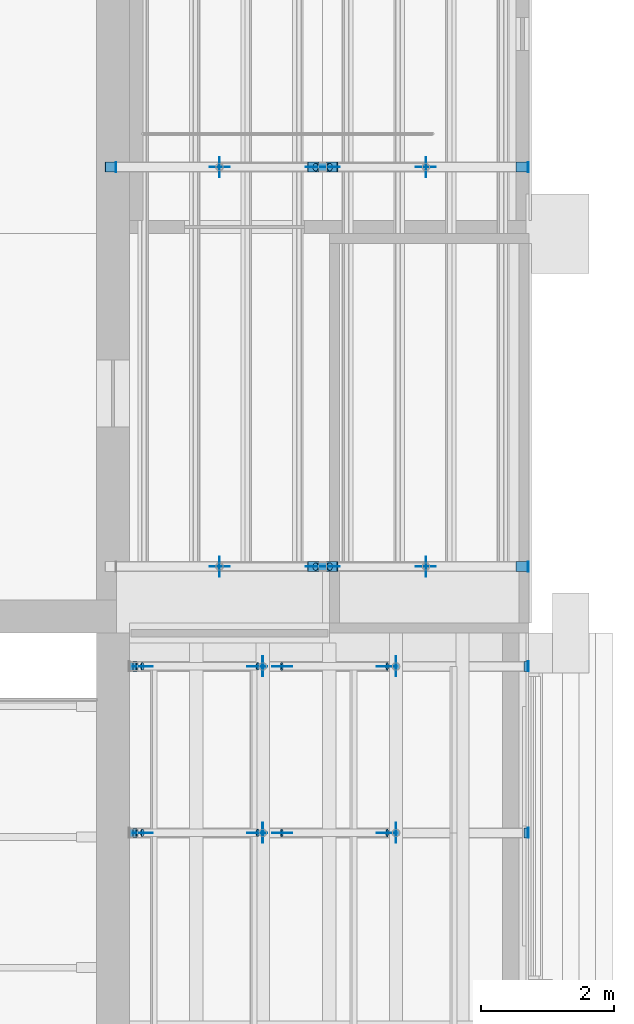
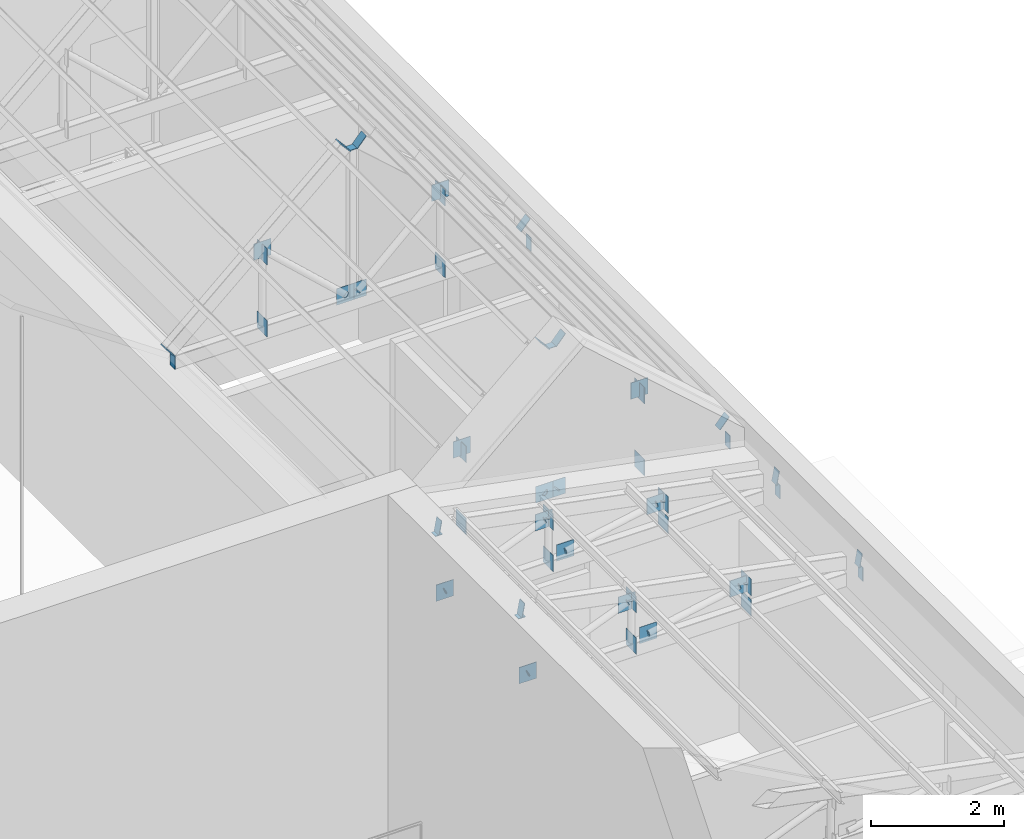
# One storey, part 102 of 118: 68 discrete accessories.
"""IFC4 building model written with IfcOpenShell, lengths in metres."""

from ifc_helpers import new_model, si_unit, direction, frame, origin, origin_2d, place, context, subcontext, project, spatial, rectangle, circle, extrude, material, material_profile, profile_set, type_object, element, save


model = new_model("IFC4")

# Units and contexts
model_context = context("Model", 3, precision=1e-05, world=origin(), true_north=direction((0.0, 1.0)))
body_context = subcontext(model_context, "Body", "Model", "MODEL_VIEW")
ifc_project = project(units=[si_unit("LENGTHUNIT", "METRE"), si_unit("AREAUNIT", "SQUARE_METRE"), si_unit("VOLUMEUNIT", "CUBIC_METRE"), si_unit("PLANEANGLEUNIT", "RADIAN"), si_unit("MASSUNIT", "GRAM", prefix="KILO")], contexts=[model_context])

# Site, building, storey
site_placement = place(None, origin())
site = spatial("IfcSite", under=ifc_project, at=site_placement, CompositionType="ELEMENT")
building_placement = place(site_placement, origin())
building = spatial("IfcBuilding", under=site, at=building_placement, Name="Saffron Lane Theatres", CompositionType="ELEMENT")
storey_placement = place(building_placement, frame((0.0, 0.0, 16.5)))
storey = spatial("IfcBuildingStorey", under=building, at=storey_placement, Name="L03", CompositionType="ELEMENT", Elevation=16.5)

# Discrete accessories
ifc_material_1 = material(Name="Steel Grade 350", Category="steel")
ifc_material_profile_1 = material_profile(ifc_material_1, rectangle(XDim=0.300048828125, YDim=0.300048828125, at=origin_2d()))
ifc_profile_set_1 = profile_set([ifc_material_profile_1], Name="Steel Grade 350")
discrete_accessory_type_1 = type_object("IfcDiscreteAccessoryType", Name="ST-GUSSET CONNECTION PLATE", PredefinedType="BRACKET", material=ifc_profile_set_1)
for number, where, z_axis, x_axis, name in (
    (1, (52.445068359375, 55.0, 4.75), (1.0, 0.0, 0.0), (0.0, 1.0, 0.0), "GB273"),
    (2, (52.445068359375, 55.0, 6.073486328125), (1.0, 0.0, 0.0), (0.0, 1.0, 0.0), "GB274"),
    (3, (49.344970703125, 55.0, 4.75), (1.0, 0.0, 0.0), (0.0, 1.0, 0.0), "GB275"),
    (4, (49.344970703125, 55.0, 6.073486328125), (1.0, 0.0, 0.0), (0.0, 1.0, 0.0), "GB276"),
):
    element("IfcDiscreteAccessory", number, at=place(storey_placement, frame(where, z_axis=z_axis, x_axis=x_axis)), inside=storey, type_object=discrete_accessory_type_1, Name=name, PredefinedType="BRACKET", context=body_context, shape_type="SweptSolid", body=[
        extrude(rectangle(XDim=0.300048828125, YDim=0.300048828125, at=origin_2d()), origin(), (0.0, 0.0, 1.0), 0.010009765625),
    ])
for number, where, z_axis, x_axis, name in (
    (5, (51.008056640625, 54.9951171875, 4.7919921875), (0.0, 1.0, 0.0), (-1.0, 0.0, 0.0), "GB277"),
    (6, (52.44580078125, 54.9951171875, 6.120361328125), (0.0, 1.0, 0.0), (-1.0, 0.0, 0.0), "GB278"),
    (7, (50.7919921875, 54.9951171875, 4.7919921875), (0.0, 1.0, 0.0), (-1.0, 0.0, 0.0), "GB279"),
    (8, (49.354248046875, 54.9951171875, 6.120361328125), (0.0, 1.0, 0.0), (-1.0, 0.0, 0.0), "GB280"),
):
    element("IfcDiscreteAccessory", number, at=place(storey_placement, frame(where, z_axis=z_axis, x_axis=x_axis)), inside=storey, type_object=discrete_accessory_type_1, Name=name, PredefinedType="BRACKET", context=body_context, shape_type="SweptSolid", body=[
        extrude(rectangle(XDim=0.300048828125, YDim=0.300048828125, at=origin_2d()), origin(), (0.0, 0.0, 1.0), 0.009765625),
    ])
for number, where, z_axis, x_axis, name in (
    (9, (52.445068359375, 61.0, 4.75), (1.0, 0.0, 0.0), (0.0, 1.0, 0.0), "GB281"),
    (10, (52.445068359375, 61.0, 6.073486328125), (1.0, 0.0, 0.0), (0.0, 1.0, 0.0), "GB282"),
    (11, (49.344970703125, 61.0, 4.75), (1.0, 0.0, 0.0), (0.0, 1.0, 0.0), "GB283"),
    (12, (49.344970703125, 61.0, 6.073486328125), (1.0, 0.0, 0.0), (0.0, 1.0, 0.0), "GB284"),
):
    element("IfcDiscreteAccessory", number, at=place(storey_placement, frame(where, z_axis=z_axis, x_axis=x_axis)), inside=storey, type_object=discrete_accessory_type_1, Name=name, PredefinedType="BRACKET", context=body_context, shape_type="SweptSolid", body=[
        extrude(rectangle(XDim=0.300048828125, YDim=0.300048828125, at=origin_2d()), origin(), (0.0, 0.0, 1.0), 0.010009765625),
    ])
for number, where, z_axis, x_axis, name in (
    (13, (51.008056640625, 60.9951171875, 4.7919921875), (0.0, 1.0, 0.0), (-1.0, 0.0, 0.0), "GB285"),
    (14, (52.44580078125, 60.9951171875, 6.120361328125), (0.0, 1.0, 0.0), (-1.0, 0.0, 0.0), "GB286"),
    (15, (50.7919921875, 60.9951171875, 4.7919921875), (0.0, 1.0, 0.0), (-1.0, 0.0, 0.0), "GB287"),
    (16, (49.354248046875, 60.9951171875, 6.120361328125), (0.0, 1.0, 0.0), (-1.0, 0.0, 0.0), "GB288"),
    (17, (51.9951171875, 51.0, 4.75), (1.0, 0.0, 0.0), (0.0, 1.0, 0.0), "GB409"),
    (18, (51.9951171875, 51.0, 5.127197265625), (1.0, 0.0, 0.0), (0.0, 1.0, 0.0), "GB410"),
    (19, (49.9951171875, 51.0, 4.75), (1.0, 0.0, 0.0), (0.0, 1.0, 0.0), "GB411"),
    (20, (49.9951171875, 51.0, 5.515625), (1.0, 0.0, 0.0), (0.0, 1.0, 0.0), "GB412"),
    (21, (48.19482421875, 50.9951171875, 4.802978515625), (0.0, 1.0, 0.0), (-1.0, 0.0, 0.0), "GB413"),
    (22, (49.917724609375, 50.9951171875, 5.493896484375), (0.0, 1.0, 0.0), (-1.0, 0.0, 0.0), "GB414"),
    (23, (50.288818359375, 50.9951171875, 4.80615234375), (0.0, 1.0, 0.0), (-1.0, 0.0, 0.0), "GB415"),
    (24, (51.861083984375, 50.9951171875, 5.111328125), (0.0, 1.0, 0.0), (-1.0, 0.0, 0.0), "GB416"),
    (25, (51.9951171875, 53.5, 4.75), (1.0, 0.0, 0.0), (0.0, 1.0, 0.0), "GB417"),
    (26, (51.9951171875, 53.5, 5.127197265625), (1.0, 0.0, 0.0), (0.0, 1.0, 0.0), "GB418"),
    (27, (49.9951171875, 53.5, 4.75), (1.0, 0.0, 0.0), (0.0, 1.0, 0.0), "GB419"),
    (28, (49.9951171875, 53.5, 5.515625), (1.0, 0.0, 0.0), (0.0, 1.0, 0.0), "GB420"),
    (29, (48.19482421875, 53.4951171875, 4.802978515625), (0.0, 1.0, 0.0), (-1.0, 0.0, 0.0), "GB421"),
    (30, (49.917724609375, 53.4951171875, 5.493896484375), (0.0, 1.0, 0.0), (-1.0, 0.0, 0.0), "GB422"),
    (31, (50.288818359375, 53.4951171875, 4.80615234375), (0.0, 1.0, 0.0), (-1.0, 0.0, 0.0), "GB423"),
    (32, (51.861083984375, 53.4951171875, 5.111328125), (0.0, 1.0, 0.0), (-1.0, 0.0, 0.0), "GB424"),
):
    element("IfcDiscreteAccessory", number, at=place(storey_placement, frame(where, z_axis=z_axis, x_axis=x_axis)), inside=storey, type_object=discrete_accessory_type_1, Name=name, PredefinedType="BRACKET", context=body_context, shape_type="SweptSolid", body=[
        extrude(rectangle(XDim=0.300048828125, YDim=0.300048828125, at=origin_2d()), origin(), (0.0, 0.0, 1.0), 0.009765625),
    ])
ifc_material_2 = material(Name="Steel Grade 350", Category="steel")
ifc_material_profile_2 = material_profile(ifc_material_2, circle(Radius=0.05712890625, at=origin_2d()))
ifc_profile_set_2 = profile_set([ifc_material_profile_2], Name="Steel Grade 350")
discrete_accessory_type_2 = type_object("IfcDiscreteAccessoryType", Name="ST-STEEL END CAP 114.3x6.0 CHS", PredefinedType="ANCHORPLATE", material=ifc_profile_set_2)
discrete_accessory_1_placement = place(storey_placement, frame((50.9990234375, 55.0, 4.783935546875), z_axis=(0.746295434469, 0.0, 0.665614846958), x_axis=(0.0, 1.0, 0.0)))
element("IfcDiscreteAccessory", 33, at=discrete_accessory_1_placement, inside=storey, type_object=discrete_accessory_type_2, Name="EC397", PredefinedType="ANCHORPLATE", context=body_context, shape_type="SweptSolid", body=[
    extrude(circle(Radius=0.05712890625, at=origin_2d()), origin(), (0.0, 0.0, 1.0), 0.01220703125),
])
discrete_accessory_2_placement = place(storey_placement, frame((50.80078125, 55.0, 4.783935546875), z_axis=(-0.737154140201, 0.0, 0.675724628517), x_axis=(0.0, -1.0, 0.0)))
element("IfcDiscreteAccessory", 34, at=discrete_accessory_2_placement, inside=storey, type_object=discrete_accessory_type_2, Name="EC398", PredefinedType="ANCHORPLATE", context=body_context, shape_type="SweptSolid", body=[
    extrude(circle(Radius=0.05712890625, at=origin_2d()), origin(), (0.0, 0.0, 1.0), 0.011962890625),
])
discrete_accessory_3_placement = place(storey_placement, frame((50.9990234375, 61.0, 4.783935546875), z_axis=(0.746295434469, 0.0, 0.665614846958), x_axis=(0.0, 1.0, 0.0)))
element("IfcDiscreteAccessory", 35, at=discrete_accessory_3_placement, inside=storey, type_object=discrete_accessory_type_2, Name="EC406", PredefinedType="ANCHORPLATE", context=body_context, shape_type="SweptSolid", body=[
    extrude(circle(Radius=0.05712890625, at=origin_2d()), origin(), (0.0, 0.0, 1.0), 0.01220703125),
])
discrete_accessory_4_placement = place(storey_placement, frame((50.80078125, 61.0, 4.783935546875), z_axis=(-0.737154140201, 0.0, 0.675724628517), x_axis=(0.0, -1.0, 0.0)))
element("IfcDiscreteAccessory", 36, at=discrete_accessory_4_placement, inside=storey, type_object=discrete_accessory_type_2, Name="EC407", PredefinedType="ANCHORPLATE", context=body_context, shape_type="SweptSolid", body=[
    extrude(circle(Radius=0.05712890625, at=origin_2d()), origin(), (0.0, 0.0, 1.0), 0.011962890625),
])
discrete_accessory_5_placement = place(storey_placement, frame((52.0, 51.0, 5.127197265625), z_axis=(0.0, 0.0, 1.0), x_axis=(1.0, 0.0, 0.0)))
element("IfcDiscreteAccessory", 37, at=discrete_accessory_5_placement, inside=storey, type_object=discrete_accessory_type_2, Name="EC566", PredefinedType="ANCHORPLATE", context=body_context, shape_type="SweptSolid", body=[
    extrude(circle(Radius=0.05712890625, at=origin_2d()), origin(), (0.0, 0.0, 1.0), 0.01220703125),
])
for number, where, z_axis, x_axis, name in (
    (38, (50.0, 51.0, 5.515625), (0.0, 0.0, 1.0), (1.0, 0.0, 0.0), "EC567"),
    (39, (48.18359375, 51.0, 4.798583984375), (0.931242779706, 0.0, 0.364399348581), (0.0, 1.0, 0.0), "EC568"),
    (40, (49.917724609375, 51.0, 5.493896484375), (0.931242779706, 0.0, 0.364399348581), (0.0, 1.0, 0.0), "EC569"),
    (41, (50.277099609375, 51.0, 4.8037109375), (0.978980419738, 0.0, 0.203954254112), (0.0, 1.0, 0.0), "EC570"),
    (42, (51.861083984375, 51.0, 5.111328125), (0.978980419738, 0.0, 0.203954254112), (0.0, 1.0, 0.0), "EC571"),
):
    element("IfcDiscreteAccessory", number, at=place(storey_placement, frame(where, z_axis=z_axis, x_axis=x_axis)), inside=storey, type_object=discrete_accessory_type_2, Name=name, PredefinedType="ANCHORPLATE", context=body_context, shape_type="SweptSolid", body=[
        extrude(circle(Radius=0.05712890625, at=origin_2d()), origin(), (0.0, 0.0, 1.0), 0.011962890625),
    ])
discrete_accessory_6_placement = place(storey_placement, frame((52.0, 53.5, 5.127197265625), z_axis=(0.0, 0.0, 1.0), x_axis=(1.0, 0.0, 0.0)))
element("IfcDiscreteAccessory", 43, at=discrete_accessory_6_placement, inside=storey, type_object=discrete_accessory_type_2, Name="EC577", PredefinedType="ANCHORPLATE", context=body_context, shape_type="SweptSolid", body=[
    extrude(circle(Radius=0.05712890625, at=origin_2d()), origin(), (0.0, 0.0, 1.0), 0.01220703125),
])
for number, where, z_axis, x_axis, name in (
    (44, (50.0, 53.5, 5.515625), (0.0, 0.0, 1.0), (1.0, 0.0, 0.0), "EC578"),
    (45, (48.18359375, 53.5, 4.798583984375), (0.931242779706, 0.0, 0.364399348581), (0.0, 1.0, 0.0), "EC579"),
    (46, (49.917724609375, 53.5, 5.493896484375), (0.931242779706, 0.0, 0.364399348581), (0.0, 1.0, 0.0), "EC580"),
    (47, (50.277099609375, 53.5, 4.8037109375), (0.978980419738, 0.0, 0.203954254112), (0.0, 1.0, 0.0), "EC581"),
    (48, (51.861083984375, 53.5, 5.111328125), (0.978980419738, 0.0, 0.203954254112), (0.0, 1.0, 0.0), "EC582"),
):
    element("IfcDiscreteAccessory", number, at=place(storey_placement, frame(where, z_axis=z_axis, x_axis=x_axis)), inside=storey, type_object=discrete_accessory_type_2, Name=name, PredefinedType="ANCHORPLATE", context=body_context, shape_type="SweptSolid", body=[
        extrude(circle(Radius=0.05712890625, at=origin_2d()), origin(), (0.0, 0.0, 1.0), 0.011962890625),
    ])
ifc_material_3 = material(Name="Steel Grade 350", Category="steel")
ifc_material_profile_3 = material_profile(ifc_material_3, rectangle(XDim=0.125, YDim=0.125, at=origin_2d()))
ifc_profile_set_3 = profile_set([ifc_material_profile_3], Name="Steel Grade 350")
discrete_accessory_type_3 = type_object("IfcDiscreteAccessoryType", Name="ST-STEEL END CAP 125x125x6 SHS", PredefinedType="ANCHORPLATE", material=ifc_profile_set_3)
for number, where, z_axis, x_axis, name in (
    (49, (50.89990234375, 55.0, 7.44287109375), (0.0, 0.0, 1.0), (1.0, 0.0, 0.0), "EC396"),
    (50, (50.89990234375, 61.0, 7.44287109375), (0.0, 0.0, 1.0), (1.0, 0.0, 0.0), "EC405"),
):
    element("IfcDiscreteAccessory", number, at=place(storey_placement, frame(where, z_axis=z_axis, x_axis=x_axis)), inside=storey, type_object=discrete_accessory_type_3, Name=name, PredefinedType="ANCHORPLATE", context=body_context, shape_type="SweptSolid", body=[
        extrude(rectangle(XDim=0.125, YDim=0.125, at=origin_2d()), origin(), (0.0, 0.0, 1.0), 0.01220703125),
    ])
for number, where, z_axis, x_axis, name in (
    (51, (48.0625, 51.0, 5.890869140625), (0.0, 0.0, 1.0), (1.0, 0.0, 0.0), "EC565"),
    (52, (48.0625, 53.5, 5.890869140625), (0.0, 0.0, 1.0), (1.0, 0.0, 0.0), "EC576"),
):
    element("IfcDiscreteAccessory", number, at=place(storey_placement, frame(where, z_axis=z_axis, x_axis=x_axis)), inside=storey, type_object=discrete_accessory_type_3, Name=name, PredefinedType="ANCHORPLATE", context=body_context, shape_type="SweptSolid", body=[
        extrude(rectangle(XDim=0.125, YDim=0.125, at=origin_2d()), origin(), (0.0, 0.0, 1.0), 0.011962890625),
    ])
ifc_material_4 = material(Name="Steel Grade 350", Category="steel")
ifc_material_profile_4 = material_profile(ifc_material_4, rectangle(XDim=0.14990234375, YDim=0.25, at=origin_2d()))
ifc_profile_set_4 = profile_set([ifc_material_profile_4], Name="Steel Grade 350")
discrete_accessory_type_4 = type_object("IfcDiscreteAccessoryType", Name="ST-STEEL END CAP 250x150x9 RHS", PredefinedType="ANCHORPLATE", material=ifc_profile_set_4)
for number, where, z_axis, x_axis, name in (
    (53, (53.991943359375, 55.0, 4.625), (-1.0, 0.0, 0.0), (0.0, -1.0, 0.0), "EC390"),
    (54, (53.89599609375, 55.0, 5.00927734375), (-0.756363172452, 0.0, 0.654151932932), (0.0, -1.0, 0.0), "EC392"),
    (55, (51.04541015625, 55.0, 7.53662109375), (-0.756363172452, 0.0, 0.654151932932), (0.0, -1.0, 0.0), "EC393"),
    (56, (50.754638671875, 55.0, 7.53662109375), (0.756363172452, 0.0, 0.654151932932), (0.0, 1.0, 0.0), "EC395"),
    (57, (53.991943359375, 61.0, 4.625), (-1.0, 0.0, 0.0), (0.0, -1.0, 0.0), "EC399"),
    (58, (47.800048828125, 61.0, 4.625), (-1.0, 0.0, 0.0), (0.0, -1.0, 0.0), "EC400"),
    (59, (53.89599609375, 61.0, 5.00927734375), (-0.756363172452, 0.0, 0.654151932932), (0.0, -1.0, 0.0), "EC401"),
    (60, (51.04541015625, 61.0, 7.53662109375), (-0.756363172452, 0.0, 0.654151932932), (0.0, -1.0, 0.0), "EC402"),
    (61, (47.7080078125, 61.0, 4.835693359375), (0.756363172452, 0.0, 0.654151932932), (0.0, 1.0, 0.0), "EC403"),
    (62, (50.754638671875, 61.0, 7.53662109375), (0.756363172452, 0.0, 0.654151932932), (0.0, 1.0, 0.0), "EC404"),
    (63, (53.991943359375, 51.0, 4.625), (-1.0, 0.0, 0.0), (0.0, -1.0, 0.0), "EC561"),
    (64, (53.9580078125, 51.0, 4.885498046875), (-0.982872186934, 0.0, 0.18428853505), (0.0, -1.0, 0.0), "EC563"),
):
    element("IfcDiscreteAccessory", number, at=place(storey_placement, frame(where, z_axis=z_axis, x_axis=x_axis)), inside=storey, type_object=discrete_accessory_type_4, Name=name, PredefinedType="ANCHORPLATE", context=body_context, shape_type="SweptSolid", body=[
        extrude(rectangle(XDim=0.14990234375, YDim=0.25, at=origin_2d()), origin(), (0.0, 0.0, 1.0), 0.011962890625),
    ])
discrete_accessory_7_placement = place(storey_placement, frame((48.08642578125, 51.0, 6.02587890625), z_axis=(-0.983547166232, 0.0, 0.180651520328), x_axis=(0.0, -1.0, 0.0)))
element("IfcDiscreteAccessory", 65, at=discrete_accessory_7_placement, inside=storey, type_object=discrete_accessory_type_4, Name="EC564", PredefinedType="ANCHORPLATE", context=body_context, shape_type="SweptSolid", body=[
    extrude(rectangle(XDim=0.14990234375, YDim=0.25, at=origin_2d()), origin(), (0.0, 0.0, 1.0), 0.01220703125),
])
for number, where, z_axis, x_axis, name in (
    (66, (53.991943359375, 53.5, 4.625), (-1.0, 0.0, 0.0), (0.0, -1.0, 0.0), "EC572"),
    (67, (53.9580078125, 53.5, 4.885498046875), (-0.982872186934, 0.0, 0.18428853505), (0.0, -1.0, 0.0), "EC574"),
):
    element("IfcDiscreteAccessory", number, at=place(storey_placement, frame(where, z_axis=z_axis, x_axis=x_axis)), inside=storey, type_object=discrete_accessory_type_4, Name=name, PredefinedType="ANCHORPLATE", context=body_context, shape_type="SweptSolid", body=[
        extrude(rectangle(XDim=0.14990234375, YDim=0.25, at=origin_2d()), origin(), (0.0, 0.0, 1.0), 0.011962890625),
    ])
discrete_accessory_8_placement = place(storey_placement, frame((48.08642578125, 53.5, 6.02587890625), z_axis=(-0.983547166232, 0.0, 0.180651520328), x_axis=(0.0, -1.0, 0.0)))
element("IfcDiscreteAccessory", 68, at=discrete_accessory_8_placement, inside=storey, type_object=discrete_accessory_type_4, Name="EC575", PredefinedType="ANCHORPLATE", context=body_context, shape_type="SweptSolid", body=[
    extrude(rectangle(XDim=0.14990234375, YDim=0.25, at=origin_2d()), origin(), (0.0, 0.0, 1.0), 0.01220703125),
])

save(model, "model.ifc")
